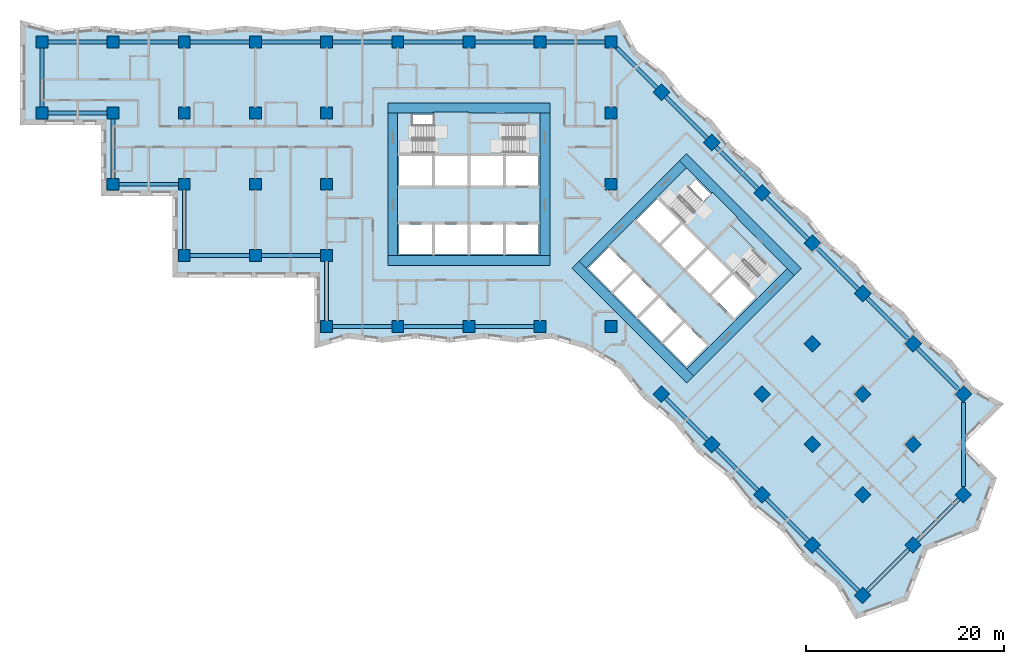
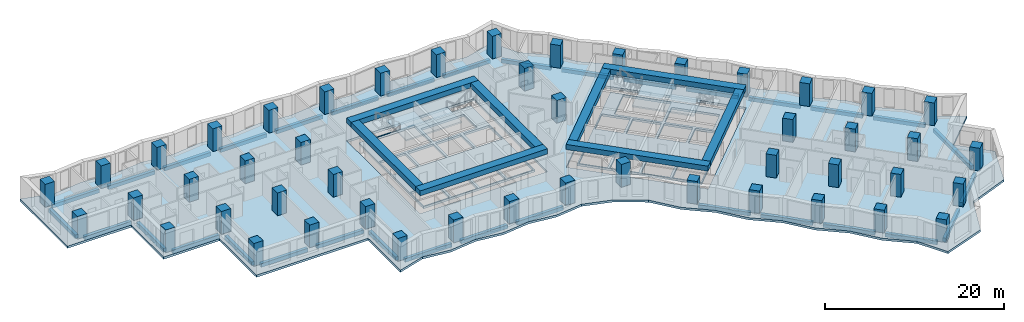
# One storey, part 1 of 13: 48 columns, 41 beams, 7 slabs, 22 openings, 4 elements without a shape of their own.
"""IFC4 building model written with IfcOpenShell, lengths in metres."""

from ifc_helpers import new_model, si_unit, direction, frame, origin, origin_2d, place, context, subcontext, project, spatial, polyline, rectangle, outline, extrude, material, layer, layer_set, material_profile, profile_set, type_object, element, aggregate, save


model = new_model("IFC4")

# Units and contexts
model_context = context("Model", 3, precision=1e-05, world=origin(), true_north=direction((0.0, 1.0)))
body_context = subcontext(model_context, "Body", "Model", "MODEL_VIEW")
ifc_project = project(units=[si_unit("LENGTHUNIT", "METRE"), si_unit("AREAUNIT", "SQUARE_METRE"), si_unit("VOLUMEUNIT", "CUBIC_METRE"), si_unit("PLANEANGLEUNIT", "RADIAN"), si_unit("MASSUNIT", "GRAM", prefix="KILO")], contexts=[model_context])

# Site, building, storey
site_placement = place(None, origin())
site = spatial("IfcSite", under=ifc_project, at=site_placement, CompositionType="ELEMENT")
building_placement = place(site_placement, origin())
building = spatial("IfcBuilding", under=site, at=building_placement, Name="Windrow Commons", CompositionType="ELEMENT")
storey_placement = place(building_placement, frame((0.0, 0.0, 40.6)))
storey = spatial("IfcBuildingStorey", under=building, at=storey_placement, Name="L10", CompositionType="ELEMENT", Elevation=40.6)

# Columns
ifc_material_1 = material(Name="Concrete C60/75", Category="concrete")
ifc_material_profile_1 = material_profile(ifc_material_1, rectangle(XDim=1.2, YDim=1.2, at=origin_2d()))
ifc_profile_set_1 = profile_set([ifc_material_profile_1], Name="Concrete C60/75")
column_type = type_object("IfcColumnType", Name="RC COLUMN 1200x1200 C60/75", PredefinedType="COLUMN", material=ifc_profile_set_1)
for number, where, z_axis, x_axis, name in (
    (1, (21.6, 64.8, 0.0), (0.0, 0.0, 1.0), (1.0, 0.0, 0.0), "C-Z1-04I"),
    (2, (21.6, 72.0, 0.0), (0.0, 0.0, 1.0), (1.0, 0.0, 0.0), "C-Z1-04J"),
    (3, (28.8, 57.6, 0.0), (0.0, 0.0, 1.0), (1.0, 0.0, 0.0), "C-Z1-05H"),
    (4, (28.8, 64.8, 0.0), (0.0, 0.0, 1.0), (1.0, 0.0, 0.0), "C-Z1-05I"),
    (5, (28.8, 72.0, 0.0), (0.0, 0.0, 1.0), (1.0, 0.0, 0.0), "C-Z1-05J"),
    (6, (36.0, 50.4, 0.0), (0.0, 0.0, 1.0), (1.0, 0.0, 0.0), "C-Z1-06G"),
    (7, (36.0, 57.6, 0.0), (0.0, 0.0, 1.0), (1.0, 0.0, 0.0), "C-Z1-06H"),
    (8, (36.0, 64.8, 0.0), (0.0, 0.0, 1.0), (1.0, 0.0, 0.0), "C-Z1-06I"),
    (9, (36.0, 72.0, 0.0), (0.0, 0.0, 1.0), (1.0, 0.0, 0.0), "C-Z1-06J"),
    (10, (43.2, 50.4, 0.0), (0.0, 0.0, 1.0), (1.0, 0.0, 0.0), "C-Z1-07G"),
    (11, (43.2, 57.6, 0.0), (0.0, 0.0, 1.0), (1.0, 0.0, 0.0), "C-Z1-07H"),
    (12, (43.2, 64.8, 0.0), (0.0, 0.0, 1.0), (1.0, 0.0, 0.0), "C-Z1-07I"),
    (13, (43.2, 72.0, 0.0), (0.0, 0.0, 1.0), (1.0, 0.0, 0.0), "C-Z1-07J"),
    (14, (50.4, 43.2, 0.0), (0.0, 0.0, 1.0), (1.0, 0.0, 0.0), "C-Z1-08F"),
    (15, (50.4, 50.4, 0.0), (0.0, 0.0, 1.0), (1.0, 0.0, 0.0), "C-Z1-08G"),
    (16, (50.4, 57.6, 0.0), (0.0, 0.0, 1.0), (1.0, 0.0, 0.0), "C-Z1-08H"),
    (17, (50.4, 64.8, 0.0), (0.0, 0.0, 1.0), (1.0, 0.0, 0.0), "C-Z1-08I"),
    (18, (50.4, 72.0, 0.0), (0.0, 0.0, 1.0), (1.0, 0.0, 0.0), "C-Z1-08J"),
    (19, (57.6, 43.2, 0.0), (0.0, 0.0, 1.0), (1.0, 0.0, 0.0), "C-Z1-09F"),
    (20, (57.6, 72.0, 0.0), (0.0, 0.0, 1.0), (1.0, 0.0, 0.0), "C-Z1-09J"),
    (21, (64.8, 43.2, 0.0), (0.0, 0.0, 1.0), (1.0, 0.0, 0.0), "C-Z1-10F"),
    (22, (64.8, 72.0, 0.0), (0.0, 0.0, 1.0), (1.0, 0.0, 0.0), "C-Z1-10J"),
    (23, (72.0, 43.2, 0.0), (0.0, 0.0, 1.0), (1.0, 0.0, 0.0), "C-Z1-11F"),
    (24, (72.0, 72.0, 0.0), (0.0, 0.0, 1.0), (1.0, 0.0, 0.0), "C-Z1-11J"),
    (25, (79.2, 43.2, 0.0), (0.0, 0.0, 1.0), (1.0, 0.0, 0.0), "C-Z1-12F"),
    (26, (79.2, 57.6, 0.0), (0.0, 0.0, 1.0), (1.0, 0.0, 0.0), "C-Z1-12H"),
    (27, (79.2, 64.8, 0.0), (0.0, 0.0, 1.0), (1.0, 0.0, 0.0), "C-Z1-12I"),
    (28, (79.2, 72.0, 0.0), (0.0, 0.0, 1.0), (1.0, 0.0, 0.0), "C-Z1-12J"),
    (29, (84.2912, 66.9088, 0.0), (0.0, 0.0, 1.0), (0.7071067812, -0.7071067812, 0.0), "C-Z1-P2Q"),
    (30, (89.3823, 61.8177, 0.0), (0.0, 0.0, 1.0), (0.7071067812, -0.7071067812, 0.0), "C-Z1-P3Q"),
    (31, (94.4735, 56.7265, 0.0), (0.0, 0.0, 1.0), (0.7071067812, -0.7071067812, 0.0), "C-Z1-P4Q"),
    (32, (99.5647, 51.6353, 0.0), (0.0, 0.0, 1.0), (0.7071067812, -0.7071067812, 0.0), "C-Z1-P5Q"),
    (33, (84.2912, 36.3618, 0.0), (0.0, 0.0, 1.0), (0.7071067812, -0.7071067812, 0.0), "C-Z1-P5T"),
    (34, (104.6558, 46.5442, 0.0), (0.0, 0.0, 1.0), (0.7071067812, -0.7071067812, 0.0), "C-Z1-P6Q"),
    (35, (99.5647, 41.453, 0.0), (0.0, 0.0, 1.0), (0.7071067812, -0.7071067812, 0.0), "C-Z1-P6R"),
    (36, (94.4735, 36.3618, 0.0), (0.0, 0.0, 1.0), (0.7071067812, -0.7071067812, 0.0), "C-Z1-P6S"),
    (37, (89.3823, 31.2706, 0.0), (0.0, 0.0, 1.0), (0.7071067812, -0.7071067812, 0.0), "C-Z1-P6T"),
    (38, (109.747, 41.453, 0.0), (0.0, 0.0, 1.0), (0.7071067812, -0.7071067812, 0.0), "C-Z1-P7Q"),
    (39, (104.6558, 36.3618, 0.0), (0.0, 0.0, 1.0), (0.7071067812, -0.7071067812, 0.0), "C-Z1-P7R"),
    (40, (99.5647, 31.2706, 0.0), (0.0, 0.0, 1.0), (0.7071067812, -0.7071067812, 0.0), "C-Z1-P7S"),
    (41, (94.4735, 26.1795, 0.0), (0.0, 0.0, 1.0), (0.7071067812, -0.7071067812, 0.0), "C-Z1-P7T"),
    (42, (114.8382, 36.3618, 0.0), (0.0, 0.0, 1.0), (0.7071067812, -0.7071067812, 0.0), "C-Z1-P8Q"),
    (43, (109.747, 31.2706, 0.0), (0.0, 0.0, 1.0), (0.7071067812, -0.7071067812, 0.0), "C-Z1-P8R"),
    (44, (104.6558, 26.1795, 0.0), (0.0, 0.0, 1.0), (0.7071067812, -0.7071067812, 0.0), "C-Z1-P8S"),
    (45, (99.5647, 21.0883, 0.0), (0.0, 0.0, 1.0), (0.7071067812, -0.7071067812, 0.0), "C-Z1-P8T"),
    (46, (114.8382, 26.1795, 0.0), (0.0, 0.0, 1.0), (0.7071067812, -0.7071067812, 0.0), "C-Z1-P9R"),
    (47, (109.747, 21.0883, 0.0), (0.0, 0.0, 1.0), (0.7071067812, -0.7071067812, 0.0), "C-Z1-P9S"),
    (48, (104.6558, 15.9971, 0.0), (0.0, 0.0, 1.0), (0.7071067812, -0.7071067812, 0.0), "C-Z1-P9T"),
):
    element("IfcColumn", number, at=place(storey_placement, frame(where, z_axis=z_axis, x_axis=x_axis)), inside=storey, type_object=column_type, Name=name, PredefinedType="COLUMN", context=body_context, shape_type="SweptSolid", body=[
        extrude(rectangle(XDim=1.2, YDim=1.2, at=origin_2d()), origin(), (0.0, 0.0, 1.0), 3.1),
    ])

# Beams
ifc_material_2 = material(Name="Concrete C60/75", Category="concrete")
ifc_material_profile_2 = material_profile(ifc_material_2, rectangle(XDim=1.0, YDim=0.7, at=origin_2d()))
ifc_profile_set_2 = profile_set([ifc_material_profile_2], Name="Concrete C60/75")
beam_type_1 = type_object("IfcBeamType", Name="RC COUPLING BEAM 1000x700 C60/75", PredefinedType="LINTEL", material=ifc_profile_set_2)
for number, where, z_axis, x_axis, name in (
    (49, (56.6, 49.9, 2.75), (1.0, 0.0, 0.0), (0.0, 1.0, 0.0), "Core A coupling beam outer-S"),
    (50, (56.6, 65.3, 2.75), (1.0, 0.0, 0.0), (0.0, 1.0, 0.0), "Core A coupling beam outer-N"),
):
    element("IfcBeam", number, at=place(storey_placement, frame(where, z_axis=z_axis, x_axis=x_axis)), inside=storey, type_object=beam_type_1, Name=name, PredefinedType="LINTEL", context=body_context, shape_type="SweptSolid", body=[
        extrude(rectangle(XDim=1.0, YDim=0.7, at=origin_2d()), origin(), (0.0, 0.0, 1.0), 16.4),
    ])
for number, where, z_axis, x_axis, name in (
    (51, (57.1, 50.4, 2.75), (0.0, 1.0, 0.0), (-1.0, 0.0, 0.0), "Core A coupling beam outer-W"),
    (52, (72.5, 50.4, 2.75), (0.0, 1.0, 0.0), (-1.0, 0.0, 0.0), "Core A coupling beam outer-E"),
):
    element("IfcBeam", number, at=place(storey_placement, frame(where, z_axis=z_axis, x_axis=x_axis)), inside=storey, type_object=beam_type_1, Name=name, PredefinedType="LINTEL", context=body_context, shape_type="SweptSolid", body=[
        extrude(rectangle(XDim=1.0, YDim=0.7, at=origin_2d()), origin(), (0.0, 0.0, 1.0), 14.4),
    ])
for number, where, z_axis, x_axis, name in (
    (53, (75.5938, 49.4433, 2.75), (0.7071037324, -0.70710983, 0.0), (0.70710983, 0.7071037324, 0.0), "Core B coupling beam outer-S"),
    (54, (86.4832, 60.3327, 2.75), (0.70710983, -0.7071037324, 0.0), (0.7071037324, 0.70710983, 0.0), "Core B coupling beam outer-N"),
):
    element("IfcBeam", number, at=place(storey_placement, frame(where, z_axis=z_axis, x_axis=x_axis)), inside=storey, type_object=beam_type_1, Name=name, PredefinedType="LINTEL", context=body_context, shape_type="SweptSolid", body=[
        extrude(rectangle(XDim=1.0, YDim=0.7, at=origin_2d()), origin(), (0.0, 0.0, 1.0), 16.4),
    ])
beam_1_placement = place(storey_placement, frame((76.3009, 49.4433, 2.75), z_axis=(0.7071067812, 0.7071067812, 0.0), x_axis=(-0.7071067812, 0.7071067812, 0.0)))
element("IfcBeam", 55, at=beam_1_placement, inside=storey, type_object=beam_type_1, Name="Core B coupling beam outer-W", PredefinedType="LINTEL", context=body_context, shape_type="SweptSolid", body=[
    extrude(rectangle(XDim=1.0, YDim=0.7, at=origin_2d()), origin(), (0.0, 0.0, 1.0), 14.3999),
])
beam_2_placement = place(storey_placement, frame((87.1903, 38.5538, 2.75), z_axis=(0.707103309, 0.7071102534, 0.0), x_axis=(-0.7071102534, 0.707103309, 0.0)))
element("IfcBeam", 56, at=beam_2_placement, inside=storey, type_object=beam_type_1, Name="Core B coupling beam outer-E", PredefinedType="LINTEL", context=body_context, shape_type="SweptSolid", body=[
    extrude(rectangle(XDim=1.0, YDim=0.7, at=origin_2d()), origin(), (0.0, 0.0, 1.0), 14.4),
])
ifc_material_3 = material(Name="Concrete C60/75", Category="concrete")
ifc_material_profile_3 = material_profile(ifc_material_3, rectangle(XDim=0.4, YDim=0.5, at=origin_2d()))
ifc_profile_set_3 = profile_set([ifc_material_profile_3], Name="Concrete C60/75")
beam_type_2 = type_object("IfcBeamType", Name="RC EDGE BEAM 400x500 C60/75", PredefinedType="SPANDREL", material=ifc_profile_set_3)
for number, where, z_axis, x_axis, name in (
    (57, (42.6, 50.4, -0.55), (-1.0, 0.0, 0.0), (0.0, -1.0, 0.0), "Edge beam L10 001"),
    (58, (36.0, 51.0, -0.55), (0.0, 1.0, 0.0), (-1.0, 0.0, 0.0), "Edge beam L10 002"),
    (59, (35.4, 57.6, -0.55), (-1.0, 0.0, 0.0), (0.0, -1.0, 0.0), "Edge beam L10 003"),
    (60, (28.8, 58.2, -0.55), (0.0, 1.0, 0.0), (-1.0, 0.0, 0.0), "Edge beam L10 004"),
    (61, (28.2, 64.8, -0.55), (-1.0, 0.0, 0.0), (0.0, -1.0, 0.0), "Edge beam L10 005"),
    (62, (21.6, 65.4, -0.55), (0.0, 1.0, 0.0), (-1.0, 0.0, 0.0), "Edge beam L10 006"),
    (63, (22.2, 72.0, -0.55), (1.0, 0.0, 0.0), (0.0, 1.0, 0.0), "Edge beam L10 007"),
    (64, (29.4, 72.0, -0.55), (1.0, 0.0, 0.0), (0.0, 1.0, 0.0), "Edge beam L10 008"),
    (65, (36.6, 72.0, -0.55), (1.0, 0.0, 0.0), (0.0, 1.0, 0.0), "Edge beam L10 009"),
    (66, (43.8, 72.0, -0.55), (1.0, 0.0, 0.0), (0.0, 1.0, 0.0), "Edge beam L10 010"),
    (67, (51.0, 72.0, -0.55), (1.0, 0.0, 0.0), (0.0, 1.0, 0.0), "Edge beam L10 011"),
    (68, (58.2, 72.0, -0.55), (1.0, 0.0, 0.0), (0.0, 1.0, 0.0), "Edge beam L10 012"),
    (69, (65.4, 72.0, -0.55), (1.0, 0.0, 0.0), (0.0, 1.0, 0.0), "Edge beam L10 013"),
    (70, (72.6, 72.0, -0.55), (1.0, 0.0, 0.0), (0.0, 1.0, 0.0), "Edge beam L10 014"),
):
    element("IfcBeam", number, at=place(storey_placement, frame(where, z_axis=z_axis, x_axis=x_axis)), inside=storey, type_object=beam_type_2, Name=name, PredefinedType="SPANDREL", context=body_context, shape_type="SweptSolid", body=[
        extrude(rectangle(XDim=0.4, YDim=0.5, at=origin_2d()), origin(), (0.0, 0.0, 1.0), 6.0),
    ])
beam_3_placement = place(storey_placement, frame((79.8, 71.4, -0.55), z_axis=(0.7071067812, -0.7071067812, 0.0), x_axis=(0.7071067812, 0.7071067812, 0.0)))
element("IfcBeam", 71, at=beam_3_placement, inside=storey, type_object=beam_type_2, Name="Edge beam L10 015", PredefinedType="SPANDREL", context=body_context, shape_type="SweptSolid", body=[
    extrude(rectangle(XDim=0.4, YDim=0.5, at=origin_2d()), origin(), (0.0, 0.0, 1.0), 5.7515),
])
beam_4_placement = place(storey_placement, frame((84.7155, 66.4845, -0.55), z_axis=(0.7071067812, -0.7071067812, 0.0), x_axis=(0.7071067812, 0.7071067812, 0.0)))
element("IfcBeam", 72, at=beam_4_placement, inside=storey, type_object=beam_type_2, Name="Edge beam L10 016", PredefinedType="SPANDREL", context=body_context, shape_type="SweptSolid", body=[
    extrude(rectangle(XDim=0.4, YDim=0.5, at=origin_2d()), origin(), (0.0, 0.0, 1.0), 5.9998),
])
for number, where, z_axis, x_axis, name in (
    (73, (89.8066, 61.3934, -0.55), (0.7071067812, -0.7071067812, 0.0), (0.7071067812, 0.7071067812, 0.0), "Edge beam L10 017"),
    (74, (94.8978, 56.3022, -0.55), (0.7071067812, -0.7071067812, 0.0), (0.7071067812, 0.7071067812, 0.0), "Edge beam L10 018"),
):
    element("IfcBeam", number, at=place(storey_placement, frame(where, z_axis=z_axis, x_axis=x_axis)), inside=storey, type_object=beam_type_2, Name=name, PredefinedType="SPANDREL", context=body_context, shape_type="SweptSolid", body=[
        extrude(rectangle(XDim=0.4, YDim=0.5, at=origin_2d()), origin(), (0.0, 0.0, 1.0), 5.9999),
    ])
beam_5_placement = place(storey_placement, frame((99.989, 51.211, -0.55), z_axis=(0.7071067812, -0.7071067812, 0.0), x_axis=(0.7071067812, 0.7071067812, 0.0)))
element("IfcBeam", 75, at=beam_5_placement, inside=storey, type_object=beam_type_2, Name="Edge beam L10 019", PredefinedType="SPANDREL", context=body_context, shape_type="SweptSolid", body=[
    extrude(rectangle(XDim=0.4, YDim=0.5, at=origin_2d()), origin(), (0.0, 0.0, 1.0), 5.9998),
])
for number, where, z_axis, x_axis, name in (
    (76, (105.0801, 46.1199, -0.55), (0.7071067812, -0.7071067812, 0.0), (0.7071067812, 0.7071067812, 0.0), "Edge beam L10 020"),
    (77, (110.1713, 41.0287, -0.55), (0.7071067812, -0.7071067812, 0.0), (0.7071067812, 0.7071067812, 0.0), "Edge beam L10 021"),
):
    element("IfcBeam", number, at=place(storey_placement, frame(where, z_axis=z_axis, x_axis=x_axis)), inside=storey, type_object=beam_type_2, Name=name, PredefinedType="SPANDREL", context=body_context, shape_type="SweptSolid", body=[
        extrude(rectangle(XDim=0.4, YDim=0.5, at=origin_2d()), origin(), (0.0, 0.0, 1.0), 5.9999),
    ])
beam_6_placement = place(storey_placement, frame((114.8382, 35.5133, -0.55), z_axis=(0.0, -1.0, 0.0), x_axis=(1.0, 0.0, 0.0)))
element("IfcBeam", 78, at=beam_6_placement, inside=storey, type_object=beam_type_2, Name="Edge beam L10 022", PredefinedType="SPANDREL", context=body_context, shape_type="SweptSolid", body=[
    extrude(rectangle(XDim=0.4, YDim=0.5, at=origin_2d()), origin(), (0.0, 0.0, 1.0), 8.4853),
])
for number, where, z_axis, x_axis, name in (
    (79, (114.4139, 25.7552, -0.55), (-0.7071067812, -0.7071067812, 0.0), (0.7071067812, -0.7071067812, 0.0), "Edge beam L10 023"),
    (80, (109.3227, 20.664, -0.55), (-0.7071067812, -0.7071067812, 0.0), (0.7071067812, -0.7071067812, 0.0), "Edge beam L10 024"),
    (81, (104.2315, 16.4214, -0.55), (-0.7070984476, 0.7071151146, 0.0), (-0.7071151146, -0.7070984476, 0.0), "Edge beam L10 025"),
    (82, (99.1404, 21.5126, -0.55), (-0.7071067812, 0.7071067812, 0.0), (-0.7071067812, -0.7071067812, 0.0), "Edge beam L10 026"),
    (83, (94.0492, 26.6038, -0.55), (-0.7071151146, 0.7070984476, 0.0), (-0.7070984476, -0.7071151146, 0.0), "Edge beam L10 027"),
    (84, (88.958, 31.6949, -0.55), (-0.7070984476, 0.7071151146, 0.0), (-0.7071151146, -0.7070984476, 0.0), "Edge beam L10 028"),
):
    element("IfcBeam", number, at=place(storey_placement, frame(where, z_axis=z_axis, x_axis=x_axis)), inside=storey, type_object=beam_type_2, Name=name, PredefinedType="SPANDREL", context=body_context, shape_type="SweptSolid", body=[
        extrude(rectangle(XDim=0.4, YDim=0.5, at=origin_2d()), origin(), (0.0, 0.0, 1.0), 5.9999),
    ])
for number, where, z_axis, x_axis, name in (
    (85, (71.4, 43.2, -0.55), (-1.0, 0.0, 0.0), (0.0, -1.0, 0.0), "Edge beam L10 029"),
    (86, (64.2, 43.2, -0.55), (-1.0, 0.0, 0.0), (0.0, -1.0, 0.0), "Edge beam L10 030"),
    (87, (57.0, 43.2, -0.55), (-1.0, 0.0, 0.0), (0.0, -1.0, 0.0), "Edge beam L10 031"),
    (88, (50.4, 43.8, -0.55), (0.0, 1.0, 0.0), (-1.0, 0.0, 0.0), "Edge beam L10 032"),
    (89, (49.8, 50.4, -0.55), (-1.0, 0.0, 0.0), (0.0, -1.0, 0.0), "Edge beam L10 033"),
):
    element("IfcBeam", number, at=place(storey_placement, frame(where, z_axis=z_axis, x_axis=x_axis)), inside=storey, type_object=beam_type_2, Name=name, PredefinedType="SPANDREL", context=body_context, shape_type="SweptSolid", body=[
        extrude(rectangle(XDim=0.4, YDim=0.5, at=origin_2d()), origin(), (0.0, 0.0, 1.0), 6.0),
    ])

# Slab, openings
ifc_material_4 = material(Name="Concrete C60/75", Category="concrete")
ifc_layer_1 = layer(ifc_material_4, 0.3)
ifc_layer_set_1 = layer_set([ifc_layer_1], Name="CORE FLOOR SLAB 300 C60/75")
slab_type_1 = type_object("IfcSlabType", Name="CORE FLOOR SLAB 300 C60/75", PredefinedType="FLOOR", material=ifc_layer_set_1)
placement_1 = place(storey_placement, frame((0.0, 0.0, -0.3)))
slab_1 = element("IfcSlab", 90, at=placement_1, inside=storey, type_object=slab_type_1, Name="S-L10-core-A", PredefinedType="FLOOR", context=body_context, shape_type="SweptSolid", body=[
    extrude(outline(polyline([(57.6, 50.4), (72.0, 50.4), (72.0, 64.8), (57.6, 64.8), (57.6, 50.4)]), holes=[polyline([(57.75, 50.55), (61.05, 50.55), (61.05, 53.55), (57.75, 53.55), (57.75, 50.55)]), polyline([(61.35, 50.55), (64.65, 50.55), (64.65, 53.55), (61.35, 53.55), (61.35, 50.55)]), polyline([(64.95, 50.55), (68.25, 50.55), (68.25, 53.55), (64.95, 53.55), (64.95, 50.55)]), polyline([(68.55, 50.55), (71.85, 50.55), (71.85, 53.55), (68.55, 53.55), (68.55, 50.55)]), polyline([(57.75, 57.45), (61.05, 57.45), (61.05, 60.45), (57.75, 60.45), (57.75, 57.45)]), polyline([(61.35, 57.45), (64.65, 57.45), (64.65, 60.45), (61.35, 60.45), (61.35, 57.45)]), polyline([(64.95, 57.45), (68.25, 57.45), (68.25, 60.45), (64.95, 60.45), (64.95, 57.45)]), polyline([(68.55, 57.45), (71.85, 57.45), (71.85, 60.45), (68.55, 60.45), (68.55, 57.45)]), polyline([(59.1, 60.75), (64.65, 60.75), (64.65, 64.65), (59.1, 64.65), (59.1, 60.75)]), polyline([(64.95, 60.75), (70.5, 60.75), (70.5, 63.705), (64.95, 63.705), (64.95, 60.75)])]), origin(), (0.0, 0.0, 1.0), 0.3),
])
opening_1_placement = place(placement_1, origin())
element("IfcOpeningElement", 91, at=opening_1_placement, cuts=slab_1, Name="Slab opening S-L10-core-A 1", PredefinedType="OPENING", context=body_context, shape_type="SweptSolid", body=[
    extrude(outline(polyline([(57.755, 50.555), (57.755, 53.545), (61.045, 53.545), (61.045, 50.555), (57.755, 50.555)])), origin(), (0.0, 0.0, 1.0), 0.3),
])
opening_2_placement = place(placement_1, origin())
element("IfcOpeningElement", 92, at=opening_2_placement, cuts=slab_1, Name="Slab opening S-L10-core-A 2", PredefinedType="OPENING", context=body_context, shape_type="SweptSolid", body=[
    extrude(outline(polyline([(61.355, 50.555), (61.355, 53.545), (64.645, 53.545), (64.645, 50.555), (61.355, 50.555)])), origin(), (0.0, 0.0, 1.0), 0.3),
])
opening_3_placement = place(placement_1, origin())
element("IfcOpeningElement", 93, at=opening_3_placement, cuts=slab_1, Name="Slab opening S-L10-core-A 3", PredefinedType="OPENING", context=body_context, shape_type="SweptSolid", body=[
    extrude(outline(polyline([(64.955, 50.555), (64.955, 53.545), (68.245, 53.545), (68.245, 50.555), (64.955, 50.555)])), origin(), (0.0, 0.0, 1.0), 0.3),
])
opening_4_placement = place(placement_1, origin())
element("IfcOpeningElement", 94, at=opening_4_placement, cuts=slab_1, Name="Slab opening S-L10-core-A 4", PredefinedType="OPENING", context=body_context, shape_type="SweptSolid", body=[
    extrude(outline(polyline([(68.555, 50.555), (68.555, 53.545), (71.845, 53.545), (71.845, 50.555), (68.555, 50.555)])), origin(), (0.0, 0.0, 1.0), 0.3),
])
opening_5_placement = place(placement_1, origin())
element("IfcOpeningElement", 95, at=opening_5_placement, cuts=slab_1, Name="Slab opening S-L10-core-A 5", PredefinedType="OPENING", context=body_context, shape_type="SweptSolid", body=[
    extrude(outline(polyline([(57.755, 57.455), (57.755, 60.445), (61.045, 60.445), (61.045, 57.455), (57.755, 57.455)])), origin(), (0.0, 0.0, 1.0), 0.3),
])
opening_6_placement = place(placement_1, origin())
element("IfcOpeningElement", 96, at=opening_6_placement, cuts=slab_1, Name="Slab opening S-L10-core-A 6", PredefinedType="OPENING", context=body_context, shape_type="SweptSolid", body=[
    extrude(outline(polyline([(61.355, 57.455), (61.355, 60.445), (64.645, 60.445), (64.645, 57.455), (61.355, 57.455)])), origin(), (0.0, 0.0, 1.0), 0.3),
])
opening_7_placement = place(placement_1, origin())
element("IfcOpeningElement", 97, at=opening_7_placement, cuts=slab_1, Name="Slab opening S-L10-core-A 7", PredefinedType="OPENING", context=body_context, shape_type="SweptSolid", body=[
    extrude(outline(polyline([(64.955, 57.455), (64.955, 60.445), (68.245, 60.445), (68.245, 57.455), (64.955, 57.455)])), origin(), (0.0, 0.0, 1.0), 0.3),
])
opening_8_placement = place(placement_1, origin())
element("IfcOpeningElement", 98, at=opening_8_placement, cuts=slab_1, Name="Slab opening S-L10-core-A 8", PredefinedType="OPENING", context=body_context, shape_type="SweptSolid", body=[
    extrude(outline(polyline([(68.555, 57.455), (68.555, 60.445), (71.845, 60.445), (71.845, 57.455), (68.555, 57.455)])), origin(), (0.0, 0.0, 1.0), 0.3),
])
opening_9_placement = place(placement_1, origin())
element("IfcOpeningElement", 99, at=opening_9_placement, cuts=slab_1, Name="Slab opening S-L10-core-A 9", PredefinedType="OPENING", context=body_context, shape_type="SweptSolid", body=[
    extrude(outline(polyline([(59.105, 60.755), (59.105, 64.645), (64.645, 64.645), (64.645, 60.755), (59.105, 60.755)])), origin(), (0.0, 0.0, 1.0), 0.3),
])
opening_10_placement = place(placement_1, origin())
element("IfcOpeningElement", 100, at=opening_10_placement, cuts=slab_1, Name="Slab opening S-L10-core-A 10", PredefinedType="OPENING", context=body_context, shape_type="SweptSolid", body=[
    extrude(outline(polyline([(64.955, 60.755), (64.955, 63.7), (70.495, 63.7), (70.495, 60.755), (64.955, 60.755)])), origin(), (0.0, 0.0, 1.0), 0.3),
])

slab_2 = element("IfcSlab", 101, at=placement_1, inside=storey, type_object=slab_type_1, Name="S-L10-core-B", PredefinedType="FLOOR", context=body_context, shape_type="SweptSolid", body=[
    extrude(outline(polyline([(76.6544, 49.0897), (86.8368, 38.9074), (97.0191, 49.0897), (86.8368, 59.2721), (76.6544, 49.0897)]), holes=[polyline([(76.8665, 49.0897), (79.2, 46.7563), (81.3213, 48.8776), (78.9879, 51.2111), (76.8665, 49.0897)]), polyline([(79.4121, 46.5442), (81.7456, 44.2107), (83.8669, 46.332), (81.5335, 48.6655), (79.4121, 46.5442)]), polyline([(81.9577, 43.9986), (84.2912, 41.6651), (86.4125, 43.7864), (84.079, 46.1199), (81.9577, 43.9986)]), polyline([(84.5033, 41.453), (86.8368, 39.1195), (88.9581, 41.2409), (86.6246, 43.5743), (84.5033, 41.453)]), polyline([(81.7456, 53.9688), (84.079, 51.6353), (86.2004, 53.7566), (83.8669, 56.0901), (81.7456, 53.9688)]), polyline([(84.2912, 51.4232), (86.6246, 49.0897), (88.7459, 51.2111), (86.4125, 53.5445), (84.2912, 51.4232)]), polyline([(86.8368, 48.8776), (89.1702, 46.5442), (91.2915, 48.6655), (88.9581, 50.9989), (86.8368, 48.8776)]), polyline([(89.3823, 46.332), (91.7158, 43.9986), (93.8371, 46.1199), (91.5037, 48.4533), (89.3823, 46.332)]), polyline([(85.0336, 55.3476), (88.9581, 51.4232), (91.7158, 54.1809), (87.7913, 58.1054), (85.0336, 55.3476)]), polyline([(89.1702, 51.2111), (93.0946, 47.2866), (95.1841, 49.3761), (91.2597, 53.3006), (89.1702, 51.2111)])]), origin(), (0.0, 0.0, 1.0), 0.3),
])
opening_11_placement = place(placement_1, origin())
element("IfcOpeningElement", 102, at=opening_11_placement, cuts=slab_2, Name="Slab opening S-L10-core-B 1", PredefinedType="OPENING", context=body_context, shape_type="SweptSolid", body=[
    extrude(outline(polyline([(76.8736, 49.0897), (78.9879, 51.204), (81.3142, 48.8776), (79.2, 46.7634), (76.8736, 49.0897)])), origin(), (0.0, 0.0, 1.0), 0.3),
])
opening_12_placement = place(placement_1, origin())
element("IfcOpeningElement", 103, at=opening_12_placement, cuts=slab_2, Name="Slab opening S-L10-core-B 2", PredefinedType="OPENING", context=body_context, shape_type="SweptSolid", body=[
    extrude(outline(polyline([(79.4192, 46.5442), (81.5335, 48.6584), (83.8598, 46.332), (81.7456, 44.2178), (79.4192, 46.5442)])), origin(), (0.0, 0.0, 1.0), 0.3),
])
opening_13_placement = place(placement_1, origin())
element("IfcOpeningElement", 104, at=opening_13_placement, cuts=slab_2, Name="Slab opening S-L10-core-B 3", PredefinedType="OPENING", context=body_context, shape_type="SweptSolid", body=[
    extrude(outline(polyline([(81.9648, 43.9986), (84.079, 46.1128), (86.4054, 43.7864), (84.2912, 41.6722), (81.9648, 43.9986)])), origin(), (0.0, 0.0, 1.0), 0.3),
])
opening_14_placement = place(placement_1, origin())
element("IfcOpeningElement", 105, at=opening_14_placement, cuts=slab_2, Name="Slab opening S-L10-core-B 4", PredefinedType="OPENING", context=body_context, shape_type="SweptSolid", body=[
    extrude(outline(polyline([(84.5104, 41.453), (86.6246, 43.5672), (88.951, 41.2409), (86.8368, 39.1266), (84.5104, 41.453)])), origin(), (0.0, 0.0, 1.0), 0.3),
])
opening_15_placement = place(placement_1, origin())
element("IfcOpeningElement", 106, at=opening_15_placement, cuts=slab_2, Name="Slab opening S-L10-core-B 5", PredefinedType="OPENING", context=body_context, shape_type="SweptSolid", body=[
    extrude(outline(polyline([(81.7527, 53.9688), (83.8669, 56.083), (86.1933, 53.7566), (84.079, 51.6424), (81.7527, 53.9688)])), origin(), (0.0, 0.0, 1.0), 0.3),
])
opening_16_placement = place(placement_1, origin())
element("IfcOpeningElement", 107, at=opening_16_placement, cuts=slab_2, Name="Slab opening S-L10-core-B 6", PredefinedType="OPENING", context=body_context, shape_type="SweptSolid", body=[
    extrude(outline(polyline([(84.2983, 51.4232), (86.4125, 53.5374), (88.7388, 51.2111), (86.6246, 49.0968), (84.2983, 51.4232)])), origin(), (0.0, 0.0, 1.0), 0.3),
])
opening_17_placement = place(placement_1, origin())
element("IfcOpeningElement", 108, at=opening_17_placement, cuts=slab_2, Name="Slab opening S-L10-core-B 7", PredefinedType="OPENING", context=body_context, shape_type="SweptSolid", body=[
    extrude(outline(polyline([(86.8439, 48.8776), (88.9581, 50.9918), (91.2844, 48.6655), (89.1702, 46.5513), (86.8439, 48.8776)])), origin(), (0.0, 0.0, 1.0), 0.3),
])
opening_18_placement = place(placement_1, origin())
element("IfcOpeningElement", 109, at=opening_18_placement, cuts=slab_2, Name="Slab opening S-L10-core-B 8", PredefinedType="OPENING", context=body_context, shape_type="SweptSolid", body=[
    extrude(outline(polyline([(89.3894, 46.332), (91.5037, 48.4462), (93.83, 46.1199), (91.7158, 44.0057), (89.3894, 46.332)])), origin(), (0.0, 0.0, 1.0), 0.3),
])
opening_19_placement = place(placement_1, origin())
element("IfcOpeningElement", 110, at=opening_19_placement, cuts=slab_2, Name="Slab opening S-L10-core-B 9", PredefinedType="OPENING", context=body_context, shape_type="SweptSolid", body=[
    extrude(outline(polyline([(85.0407, 55.3476), (87.7913, 58.0983), (91.7087, 54.1809), (88.9581, 51.4303), (85.0407, 55.3476)])), origin(), (0.0, 0.0, 1.0), 0.3),
])
opening_20_placement = place(placement_1, origin())
element("IfcOpeningElement", 111, at=opening_20_placement, cuts=slab_2, Name="Slab opening S-L10-core-B 10", PredefinedType="OPENING", context=body_context, shape_type="SweptSolid", body=[
    extrude(outline(polyline([(89.1773, 51.2111), (91.2597, 53.2935), (95.177, 49.3761), (93.0946, 47.2937), (89.1773, 51.2111)])), origin(), (0.0, 0.0, 1.0), 0.3),
])

# Stair, slab
ifc_material_5 = material(Name="Concrete C40/50", Category="concrete")
stair_type = type_object("IfcStairType", Name="Core stair", PredefinedType="HALF_TURN_STAIR", material=ifc_material_5)
placement_2 = place(storey_placement, origin())
stair_1 = element("IfcStair", 112, at=placement_2, inside=storey, type_object=stair_type, Name="L10 Exit stair A1 core A", PredefinedType="HALF_TURN_STAIR")
ifc_material_6 = material(Name="Concrete C40/50", Category="concrete")
ifc_layer_2 = layer(ifc_material_6, 0.2)
ifc_layer_set_2 = layer_set([ifc_layer_2], Name="Core stair landing")
slab_type_2 = type_object("IfcSlabType", Name="Core stair landing", PredefinedType="LANDING", material=ifc_layer_set_2)
placement_3 = place(storey_placement, frame((0.0, 0.0, 1.5)))
slab_3 = element("IfcSlab", 113, at=placement_3, type_object=slab_type_2, Name="ST-A1 landing 1", PredefinedType="LANDING", context=body_context, shape_type="SweptSolid", body=[
    extrude(outline(polyline([(61.22, 60.5), (64.8, 60.5), (64.8, 64.9), (61.22, 64.9), (61.22, 60.5)])), origin(), (0.0, 0.0, 1.0), 0.2),
])
aggregate(stair_1, [slab_3])

stair_2 = element("IfcStair", 114, at=placement_2, inside=storey, type_object=stair_type, Name="L10 Exit stair A2 core A", PredefinedType="HALF_TURN_STAIR")
slab_4 = element("IfcSlab", 115, at=placement_3, type_object=slab_type_2, Name="ST-A2 landing 1", PredefinedType="LANDING", context=body_context, shape_type="SweptSolid", body=[
    extrude(outline(polyline([(64.8, 60.5), (68.38, 60.5), (68.38, 63.855), (64.8, 63.855), (64.8, 60.5)])), origin(), (0.0, 0.0, 1.0), 0.2),
])
aggregate(stair_2, [slab_4])

stair_3 = element("IfcStair", 116, at=placement_2, inside=storey, type_object=stair_type, Name="L10 Exit stair B1 core B", PredefinedType="HALF_TURN_STAIR")
slab_5 = element("IfcSlab", 117, at=placement_3, type_object=slab_type_2, Name="ST-B1 landing 1", PredefinedType="LANDING", context=body_context, shape_type="SweptSolid", body=[
    extrude(outline(polyline([(86.3559, 53.6718), (88.8874, 51.1403), (91.9986, 54.2516), (89.4672, 56.7831), (86.3559, 53.6718)])), origin(), (0.0, 0.0, 1.0), 0.2),
])
aggregate(stair_3, [slab_5])

stair_4 = element("IfcStair", 118, at=placement_2, inside=storey, type_object=stair_type, Name="L10 Exit stair B2 core B", PredefinedType="HALF_TURN_STAIR")
slab_6 = element("IfcSlab", 119, at=placement_3, type_object=slab_type_2, Name="ST-B2 landing 1", PredefinedType="LANDING", context=body_context, shape_type="SweptSolid", body=[
    extrude(outline(polyline([(88.8874, 51.1403), (91.4188, 48.6089), (93.7911, 50.9812), (91.2597, 53.5127), (88.8874, 51.1403)])), origin(), (0.0, 0.0, 1.0), 0.2),
])
aggregate(stair_4, [slab_6])

# Slab, openings
ifc_material_7 = material(Name="Concrete C60/75", Category="concrete")
ifc_layer_3 = layer(ifc_material_7, 0.3)
ifc_layer_set_3 = layer_set([ifc_layer_3], Name="FLOOR SLAB 300 C60/75")
slab_type_3 = type_object("IfcSlabType", Name="FLOOR SLAB 300 C60/75", PredefinedType="FLOOR", material=ifc_layer_set_3)
slab_7 = element("IfcSlab", 120, at=placement_1, inside=storey, type_object=slab_type_3, Name="S-L10-floor", PredefinedType="FLOOR", context=body_context, shape_type="SweptSolid", body=[
    extrude(outline(polyline([(101.9157, 17.0402), (103.9338, 13.5781), (109.2055, 15.4557), (111.2245, 20.5859), (116.3547, 22.6048), (118.2323, 27.8765), (114.8382, 31.2706), (118.9542, 35.3868), (115.8051, 37.092), (113.6757, 39.8168), (110.9509, 41.9462), (108.8214, 44.6711), (106.0966, 46.8005), (103.9671, 49.5253), (101.2423, 51.6548), (99.1129, 54.3796), (96.388, 56.5091), (94.2586, 59.2339), (91.5338, 61.3633), (89.4043, 64.0882), (86.6795, 66.2176), (84.55, 68.9425), (81.8252, 71.0719), (80.12, 74.221), (76.3237, 73.2), (72.5274, 73.621), (68.7311, 73.2), (64.9348, 73.621), (61.1384, 73.2), (57.3421, 73.621), (53.5458, 73.2), (49.7495, 73.621), (45.9532, 73.2), (42.1569, 73.621), (38.3606, 73.2), (34.5643, 73.621), (30.7679, 73.2), (26.9716, 73.621), (23.1753, 73.2), (19.379, 74.221), (19.379, 63.6), (27.6, 63.6), (27.6, 56.4), (34.8, 56.4), (34.8, 48.179), (49.2, 48.179), (49.2, 40.979), (52.6166, 42.0), (56.0332, 41.579), (59.4499, 42.0), (62.8665, 41.579), (66.2831, 42.0), (69.6997, 41.579), (73.1164, 42.0), (76.533, 40.979), (79.995, 38.9609), (82.4374, 35.9231), (85.4752, 33.4807), (87.9176, 30.4429), (90.9554, 28.0005), (93.3978, 24.9628), (96.4355, 22.5204), (98.8779, 19.4826), (101.9157, 17.0402)]), holes=[polyline([(75.2402, 49.0897), (86.8368, 60.6863), (98.4333, 49.0897), (86.8368, 37.4932), (75.2402, 49.0897)]), polyline([(56.6, 49.4), (56.6, 65.8), (73.0, 65.8), (73.0, 49.4), (56.6, 49.4)])]), origin(), (0.0, 0.0, 1.0), 0.3),
])
opening_21_placement = place(placement_1, origin())
element("IfcOpeningElement", 121, at=opening_21_placement, cuts=slab_7, Name="Slab opening S-L10-floor 1", PredefinedType="OPENING", context=body_context, shape_type="SweptSolid", body=[
    extrude(outline(polyline([(75.2473, 49.0897), (86.8368, 60.6792), (98.4262, 49.0897), (86.8368, 37.5003), (75.2473, 49.0897)])), origin(), (0.0, 0.0, 1.0), 0.3),
])
opening_22_placement = place(placement_1, origin())
element("IfcOpeningElement", 122, at=opening_22_placement, cuts=slab_7, Name="Slab opening S-L10-floor 2", PredefinedType="OPENING", context=body_context, shape_type="SweptSolid", body=[
    extrude(outline(polyline([(56.605, 49.405), (56.605, 65.795), (72.995, 65.795), (72.995, 49.405), (56.605, 49.405)])), origin(), (0.0, 0.0, 1.0), 0.3),
])

save(model, "model.ifc")
